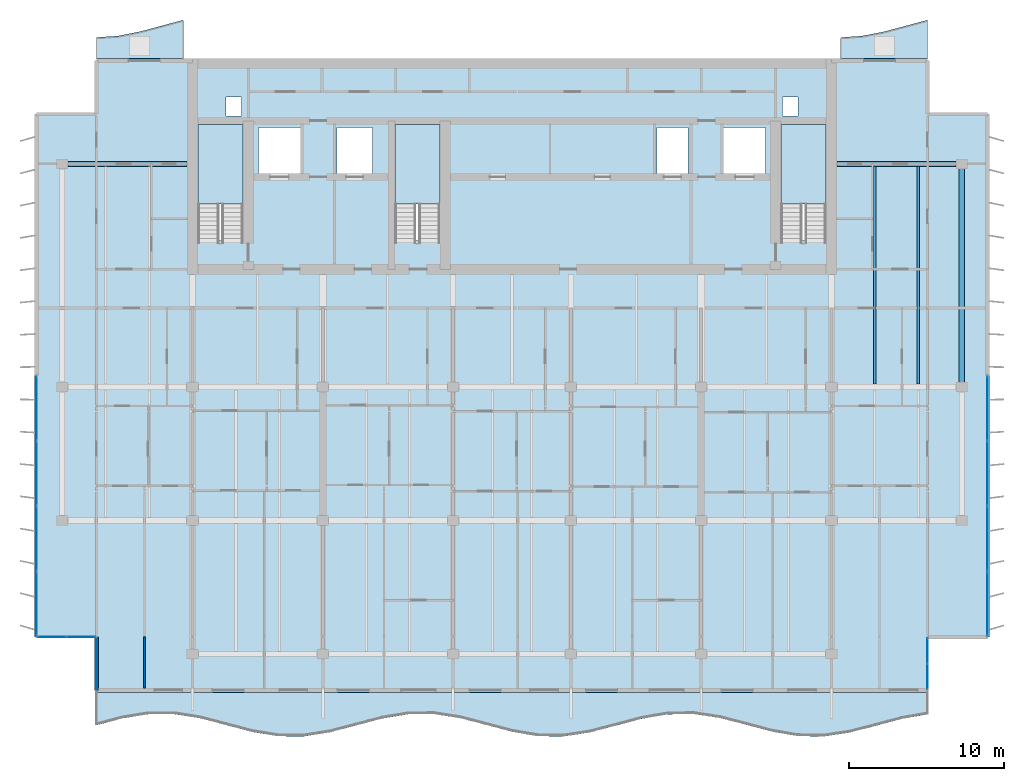
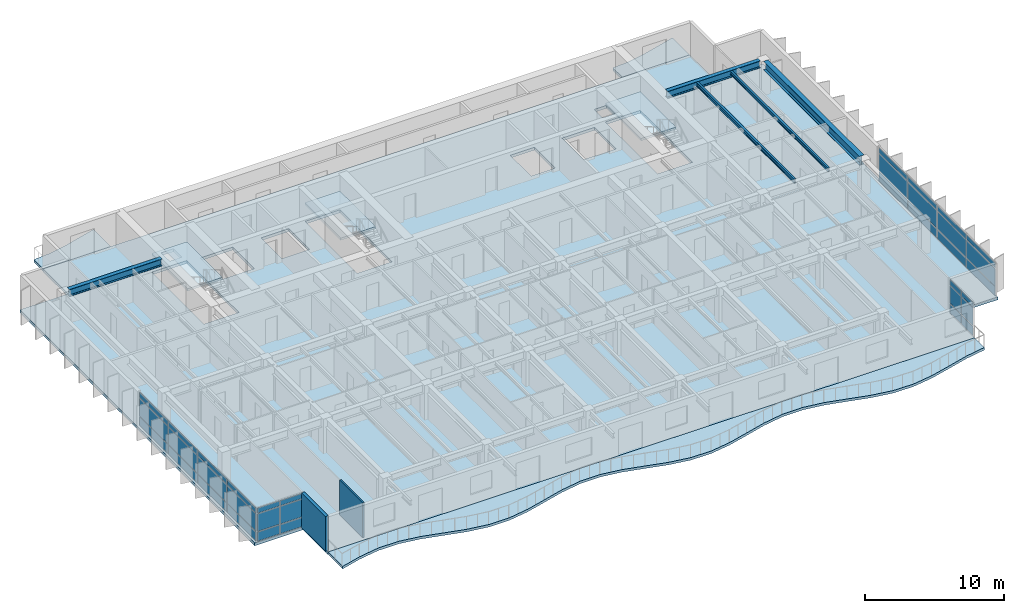
# One storey, part 5 of 17: 36 plates, 7 slabs, 5 beams, 2 walls, 7 elements without a shape of their own.
"""IFC4 building model written with IfcOpenShell, lengths in metres."""

from ifc_helpers import new_model, si_unit, direction, frame, frame_2d, origin, origin_2d, place, context, subcontext, project, spatial, polyline, rectangle, i_section, outline, extrude, material, layer, layer_set, material_profile, profile_set, type_object, element, aggregate, save


model = new_model("IFC4")

# Units and contexts
model_context = context("Model", 3, precision=1e-05, world=origin(), true_north=direction((0.0, 1.0)))
body_context = subcontext(model_context, "Body", "Model", "MODEL_VIEW")
ifc_project = project(units=[si_unit("LENGTHUNIT", "METRE"), si_unit("AREAUNIT", "SQUARE_METRE"), si_unit("VOLUMEUNIT", "CUBIC_METRE"), si_unit("PLANEANGLEUNIT", "RADIAN"), si_unit("MASSUNIT", "GRAM", prefix="KILO")], contexts=[model_context])

# Site, building, storey
site_placement = place(None, origin())
site = spatial("IfcSite", under=ifc_project, at=site_placement, CompositionType="ELEMENT")
building_placement = place(site_placement, origin())
building = spatial("IfcBuilding", under=site, at=building_placement, Name="Caelmar Bay Residences", CompositionType="ELEMENT")
storey_placement = place(building_placement, frame((0.0, 0.0, 229.800048828125)))
storey = spatial("IfcBuildingStorey", under=building, at=storey_placement, Name="L64", CompositionType="ELEMENT", Elevation=229.800048828125)

# Beams
ifc_material_1 = material(Name="Steel ASTM A992 Grade 50", Category="steel")
ifc_material_profile_1 = material_profile(ifc_material_1, i_section(OverallWidth=0.381103515625, OverallDepth=0.77197265625, WebThickness=0.0166015625, FlangeThickness=0.027099609375, FilletRadius=0.0166015625, at=origin_2d()), Name="W30X173")
ifc_profile_set_1 = profile_set([ifc_material_profile_1], Name="Steel ASTM A992 Grade 50")
beam_type_1 = type_object("IfcBeamType", Name="BM-GRD-W30X173", PredefinedType="BEAM", material=ifc_profile_set_1)
beam_1_placement = place(storey_placement, frame((67.89990234375, 29.715087890625, 2.6640625), z_axis=(0.0, 1.0, 0.0), x_axis=(-1.0, 0.0, 0.0)))
element("IfcBeam", 1, at=beam_1_placement, inside=storey, type_object=beam_type_1, Name="L64 North-South Girder X=67.90 (29.4-43.8)", PredefinedType="BEAM", context=body_context, shape_type="SweptSolid", body=[
    extrude(i_section(OverallWidth=0.381103515625, OverallDepth=0.77197265625, WebThickness=0.0166015625, FlangeThickness=0.027099609375, FilletRadius=0.0166015625, at=origin_2d()), origin(), (0.0, 0.0, 1.0), 13.77001953125),
])
ifc_material_profile_2 = material_profile(ifc_material_1, i_section(OverallWidth=0.1650390625, OverallDepth=0.31005859375, WebThickness=0.005859375, FlangeThickness=0.009765625, FilletRadius=0.007568359375, at=origin_2d()), Name="W12X26")
ifc_profile_set_2 = profile_set([ifc_material_profile_2], Name="Steel ASTM A992 Grade 50")
beam_type_2 = type_object("IfcBeamType", Name="BM-JST-W12X26", PredefinedType="JOIST", material=ifc_profile_set_2)
beam_2_placement = place(storey_placement, frame((65.10009765625, 29.590576171875, 2.89501953125), z_axis=(0.0, 1.0, 0.0), x_axis=(-1.0, 0.0, 0.0)))
element("IfcBeam", 2, at=beam_2_placement, inside=storey, type_object=beam_type_2, Name="L64 Composite Floor Joist 33", PredefinedType="JOIST", context=body_context, shape_type="SweptSolid", body=[
    extrude(i_section(OverallWidth=0.1650390625, OverallDepth=0.31005859375, WebThickness=0.005859375, FlangeThickness=0.009765625, FilletRadius=0.007568359375, at=origin_2d()), origin(), (0.0, 0.0, 1.0), 14.046875),
])
ifc_material_profile_3 = material_profile(ifc_material_1, i_section(OverallWidth=0.1708984375, OverallDepth=0.35595703125, WebThickness=0.007080078125, FlangeThickness=0.01171875, FilletRadius=0.007568359375, at=origin_2d()), Name="W14X34")
ifc_profile_set_3 = profile_set([ifc_material_profile_3], Name="Steel ASTM A992 Grade 50")
beam_type_3 = type_object("IfcBeamType", Name="BM-JST-W14X34", PredefinedType="JOIST", material=ifc_profile_set_3)
beam_3_placement = place(storey_placement, frame((62.300048828125, 29.590576171875, 2.8720703125), z_axis=(0.0, 1.0, 0.0), x_axis=(-1.0, 0.0, 0.0)))
element("IfcBeam", 3, at=beam_3_placement, inside=storey, type_object=beam_type_3, Name="L64 Composite Floor Joist 32", PredefinedType="JOIST", context=body_context, shape_type="SweptSolid", body=[
    extrude(i_section(OverallWidth=0.1708984375, OverallDepth=0.35595703125, WebThickness=0.007080078125, FlangeThickness=0.01171875, FilletRadius=0.007568359375, at=origin_2d()), origin(), (0.0, 0.0, 1.0), 14.046875),
])
ifc_material_profile_4 = material_profile(ifc_material_1, i_section(OverallWidth=0.324951171875, OverallDepth=0.616943359375, WebThickness=0.013916015625, FlangeThickness=0.021484375, FilletRadius=0.0126953125, at=origin_2d()), Name="W24X117")
ifc_profile_set_4 = profile_set([ifc_material_profile_4], Name="Steel ASTM A992 Grade 50")
beam_type_4 = type_object("IfcBeamType", Name="BM-SPN-W24X117", PredefinedType="SPANDREL", material=ifc_profile_set_4)
beam_4_placement = place(storey_placement, frame((10.264892578125, 43.800048828125, 2.741455078125), z_axis=(1.0, 0.0, 0.0), x_axis=(0.0, 1.0, 0.0)))
element("IfcBeam", 4, at=beam_4_placement, inside=storey, type_object=beam_type_4, Name="L64 North-West Wing Core Tie Girder", PredefinedType="SPANDREL", context=body_context, shape_type="SweptSolid", body=[
    extrude(i_section(OverallWidth=0.324951171875, OverallDepth=0.616943359375, WebThickness=0.013916015625, FlangeThickness=0.021484375, FilletRadius=0.0126953125, at=origin_2d()), origin(), (0.0, 0.0, 1.0), 7.68505859375),
])
beam_5_placement = place(storey_placement, frame((59.85009765625, 43.800048828125, 2.741455078125), z_axis=(1.0, 0.0, 0.0), x_axis=(0.0, 1.0, 0.0)))
element("IfcBeam", 5, at=beam_5_placement, inside=storey, type_object=beam_type_4, Name="L64 North-East Wing Core Tie Girder", PredefinedType="SPANDREL", context=body_context, shape_type="SweptSolid", body=[
    extrude(i_section(OverallWidth=0.324951171875, OverallDepth=0.616943359375, WebThickness=0.013916015625, FlangeThickness=0.021484375, FilletRadius=0.0126953125, at=origin_2d()), origin(), (0.0, 0.0, 1.0), 7.684814453125),
])

# Curtain wall, plates
ifc_material_2 = material(Name="Anodised bronze aluminium 6063-T6 and laminated glass", Category="aluminium")
ifc_layer_1 = layer(ifc_material_2, 0.179931640625)
ifc_layer_set_1 = layer_set([ifc_layer_1], Name="Anodised bronze aluminium 6063-T6 and laminated glass")
curtain_wall_type_1 = type_object("IfcCurtainWallType", Name="CW6-NTC", PredefinedType="NOTDEFINED", material=ifc_layer_set_1)
curtain_wall_1_placement = place(storey_placement, origin())
curtain_wall_1 = element("IfcCurtainWall", 6, at=curtain_wall_1_placement, inside=storey, type_object=curtain_wall_type_1, Name="CW6 curtain wall L64", PredefinedType="NOTDEFINED")
ifc_material_3 = material(Name="Bronze-tinted laminated low-E hurricane glass 28 mm", Category="glass")
ifc_layer_2 = layer(ifc_material_3, 0.028076171875)
ifc_layer_set_2 = layer_set([ifc_layer_2], Name="Bronze-tinted laminated low-E hurricane glass 28 mm")
plate_type_1 = type_object("IfcPlateType", Name="CWP-GLZ28", PredefinedType="CURTAIN_PANEL", material=ifc_layer_set_2)
plate_1_placement = place(storey_placement, frame((9.232421875, 13.300048828125, 0.080078125), z_axis=(0.0, 0.0, 1.0), x_axis=(1.0, 0.0, 0.0)))
plate_1 = element("IfcPlate", 7, at=plate_1_placement, type_object=plate_type_1, Name="CW6 panel 1.1", PredefinedType="CURTAIN_PANEL", context=body_context, shape_type="SweptSolid", body=[
    extrude(rectangle(XDim=1.804931640625, YDim=0.028076171875, at=origin_2d()), origin(), (0.0, 0.0, 1.0), 0.780029296875),
])
plate_2_placement = place(storey_placement, frame((9.232421875, 13.300048828125, 0.93994140625), z_axis=(0.0, 0.0, 1.0), x_axis=(1.0, 0.0, 0.0)))
plate_2 = element("IfcPlate", 8, at=plate_2_placement, type_object=plate_type_1, Name="CW6 panel 1.2", PredefinedType="CURTAIN_PANEL", context=body_context, shape_type="SweptSolid", body=[
    extrude(rectangle(XDim=1.804931640625, YDim=0.028076171875, at=origin_2d()), origin(), (0.0, 0.0, 1.0), 1.52001953125),
])
plate_3_placement = place(storey_placement, frame((9.232421875, 13.300048828125, 2.5400390625), z_axis=(0.0, 0.0, 1.0), x_axis=(1.0, 0.0, 0.0)))
plate_3 = element("IfcPlate", 9, at=plate_3_placement, type_object=plate_type_1, Name="CW6 panel 1.3", PredefinedType="CURTAIN_PANEL", context=body_context, shape_type="SweptSolid", body=[
    extrude(rectangle(XDim=1.804931640625, YDim=0.028076171875, at=origin_2d()), origin(), (0.0, 0.0, 1.0), 0.429931640625),
])
plate_4_placement = place(storey_placement, frame((11.117431640625, 13.300048828125, 0.080078125), z_axis=(0.0, 0.0, 1.0), x_axis=(1.0, 0.0, 0.0)))
plate_4 = element("IfcPlate", 10, at=plate_4_placement, type_object=plate_type_1, Name="CW6 panel 2.1", PredefinedType="CURTAIN_PANEL", context=body_context, shape_type="SweptSolid", body=[
    extrude(rectangle(XDim=1.804931640625, YDim=0.028076171875, at=origin_2d()), origin(), (0.0, 0.0, 1.0), 0.780029296875),
])
plate_5_placement = place(storey_placement, frame((11.117431640625, 13.300048828125, 0.93994140625), z_axis=(0.0, 0.0, 1.0), x_axis=(1.0, 0.0, 0.0)))
plate_5 = element("IfcPlate", 11, at=plate_5_placement, type_object=plate_type_1, Name="CW6 panel 2.2", PredefinedType="CURTAIN_PANEL", context=body_context, shape_type="SweptSolid", body=[
    extrude(rectangle(XDim=1.804931640625, YDim=0.028076171875, at=origin_2d()), origin(), (0.0, 0.0, 1.0), 1.52001953125),
])
plate_6_placement = place(storey_placement, frame((11.117431640625, 13.300048828125, 2.5400390625), z_axis=(0.0, 0.0, 1.0), x_axis=(1.0, 0.0, 0.0)))
plate_6 = element("IfcPlate", 12, at=plate_6_placement, type_object=plate_type_1, Name="CW6 panel 2.3", PredefinedType="CURTAIN_PANEL", context=body_context, shape_type="SweptSolid", body=[
    extrude(rectangle(XDim=1.804931640625, YDim=0.028076171875, at=origin_2d()), origin(), (0.0, 0.0, 1.0), 0.429931640625),
])
aggregate(curtain_wall_1, [plate_1, plate_2, plate_3, plate_4, plate_5, plate_6])

curtain_wall_2_placement = place(storey_placement, origin())
curtain_wall_2 = element("IfcCurtainWall", 13, at=curtain_wall_2_placement, inside=storey, type_object=curtain_wall_type_1, Name="CW6 curtain wall L64", PredefinedType="NOTDEFINED")
plate_7_placement = place(storey_placement, frame((65.699951171875, 10.732421875, 0.080078125), z_axis=(0.0, 0.0, 1.0), x_axis=(0.0, 1.0, 0.0)))
plate_7 = element("IfcPlate", 14, at=plate_7_placement, type_object=plate_type_1, Name="CW6 panel 1.1", PredefinedType="CURTAIN_PANEL", context=body_context, shape_type="SweptSolid", body=[
    extrude(rectangle(XDim=1.60498046875, YDim=0.028076171875, at=origin_2d()), origin(), (0.0, 0.0, 1.0), 0.780029296875),
])
plate_8_placement = place(storey_placement, frame((65.699951171875, 10.732421875, 0.93994140625), z_axis=(0.0, 0.0, 1.0), x_axis=(0.0, 1.0, 0.0)))
plate_8 = element("IfcPlate", 15, at=plate_8_placement, type_object=plate_type_1, Name="CW6 panel 1.2", PredefinedType="CURTAIN_PANEL", context=body_context, shape_type="SweptSolid", body=[
    extrude(rectangle(XDim=1.60498046875, YDim=0.028076171875, at=origin_2d()), origin(), (0.0, 0.0, 1.0), 1.52001953125),
])
plate_9_placement = place(storey_placement, frame((65.699951171875, 10.732421875, 2.5400390625), z_axis=(0.0, 0.0, 1.0), x_axis=(0.0, 1.0, 0.0)))
plate_9 = element("IfcPlate", 16, at=plate_9_placement, type_object=plate_type_1, Name="CW6 panel 1.3", PredefinedType="CURTAIN_PANEL", context=body_context, shape_type="SweptSolid", body=[
    extrude(rectangle(XDim=1.60498046875, YDim=0.028076171875, at=origin_2d()), origin(), (0.0, 0.0, 1.0), 0.429931640625),
])
plate_10_placement = place(storey_placement, frame((65.699951171875, 12.41748046875, 0.080078125), z_axis=(0.0, 0.0, 1.0), x_axis=(0.0, 1.0, 0.0)))
plate_10 = element("IfcPlate", 17, at=plate_10_placement, type_object=plate_type_1, Name="CW6 panel 2.1", PredefinedType="CURTAIN_PANEL", context=body_context, shape_type="SweptSolid", body=[
    extrude(rectangle(XDim=1.60498046875, YDim=0.028076171875, at=origin_2d()), origin(), (0.0, 0.0, 1.0), 0.780029296875),
])
plate_11_placement = place(storey_placement, frame((65.699951171875, 12.41748046875, 0.93994140625), z_axis=(0.0, 0.0, 1.0), x_axis=(0.0, 1.0, 0.0)))
plate_11 = element("IfcPlate", 18, at=plate_11_placement, type_object=plate_type_1, Name="CW6 panel 2.2", PredefinedType="CURTAIN_PANEL", context=body_context, shape_type="SweptSolid", body=[
    extrude(rectangle(XDim=1.60498046875, YDim=0.028076171875, at=origin_2d()), origin(), (0.0, 0.0, 1.0), 1.52001953125),
])
plate_12_placement = place(storey_placement, frame((65.699951171875, 12.41748046875, 2.5400390625), z_axis=(0.0, 0.0, 1.0), x_axis=(0.0, 1.0, 0.0)))
plate_12 = element("IfcPlate", 19, at=plate_12_placement, type_object=plate_type_1, Name="CW6 panel 2.3", PredefinedType="CURTAIN_PANEL", context=body_context, shape_type="SweptSolid", body=[
    extrude(rectangle(XDim=1.60498046875, YDim=0.028076171875, at=origin_2d()), origin(), (0.0, 0.0, 1.0), 0.429931640625),
])
aggregate(curtain_wall_2, [plate_7, plate_8, plate_9, plate_10, plate_11, plate_12])

ifc_layer_3 = layer(ifc_material_2, 0.179931640625)
ifc_layer_set_3 = layer_set([ifc_layer_3], Name="Anodised bronze aluminium 6063-T6 and laminated glass")
curtain_wall_type_2 = type_object("IfcCurtainWallType", Name="CW5-Z4", PredefinedType="NOTDEFINED", material=ifc_layer_set_3)
curtain_wall_3_placement = place(storey_placement, origin())
curtain_wall_3 = element("IfcCurtainWall", 20, at=curtain_wall_3_placement, inside=storey, type_object=curtain_wall_type_2, Name="CW5 curtain wall L64", PredefinedType="NOTDEFINED")
ifc_material_4 = material(Name="Bronze-tinted laminated low-E hurricane glass 32 mm", Category="glass")
ifc_layer_4 = layer(ifc_material_4, 0.031982421875)
ifc_layer_set_4 = layer_set([ifc_layer_4], Name="Bronze-tinted laminated low-E hurricane glass 32 mm")
plate_type_2 = type_object("IfcPlateType", Name="CWP-GLZ32", PredefinedType="CURTAIN_PANEL", material=ifc_layer_set_4)
plate_13_placement = place(storey_placement, frame((8.25, 15.42626953125, 0.080078125), z_axis=(0.0, 0.0, 1.0), x_axis=(0.0, 1.0, 0.0)))
plate_13 = element("IfcPlate", 21, at=plate_13_placement, type_object=plate_type_2, Name="CW5 panel 1.1", PredefinedType="CURTAIN_PANEL", context=body_context, shape_type="SweptSolid", body=[
    extrude(rectangle(XDim=4.092529296875, YDim=0.031982421875, at=origin_2d()), origin(), (0.0, 0.0, 1.0), 0.780029296875),
])
plate_14_placement = place(storey_placement, frame((8.25, 15.42626953125, 0.93994140625), z_axis=(0.0, 0.0, 1.0), x_axis=(0.0, 1.0, 0.0)))
plate_14 = element("IfcPlate", 22, at=plate_14_placement, type_object=plate_type_2, Name="CW5 panel 1.2", PredefinedType="CURTAIN_PANEL", context=body_context, shape_type="SweptSolid", body=[
    extrude(rectangle(XDim=4.092529296875, YDim=0.031982421875, at=origin_2d()), origin(), (0.0, 0.0, 1.0), 1.52001953125),
])
plate_15_placement = place(storey_placement, frame((8.25, 15.42626953125, 2.5400390625), z_axis=(0.0, 0.0, 1.0), x_axis=(0.0, 1.0, 0.0)))
plate_15 = element("IfcPlate", 23, at=plate_15_placement, type_object=plate_type_2, Name="CW5 panel 1.3", PredefinedType="CURTAIN_PANEL", context=body_context, shape_type="SweptSolid", body=[
    extrude(rectangle(XDim=4.092529296875, YDim=0.031982421875, at=origin_2d()), origin(), (0.0, 0.0, 1.0), 0.429931640625),
])
plate_16_placement = place(storey_placement, frame((8.25, 19.61865234375, 0.080078125), z_axis=(0.0, 0.0, 1.0), x_axis=(0.0, 1.0, 0.0)))
plate_16 = element("IfcPlate", 24, at=plate_16_placement, type_object=plate_type_2, Name="CW5 panel 2.1", PredefinedType="CURTAIN_PANEL", context=body_context, shape_type="SweptSolid", body=[
    extrude(rectangle(XDim=4.132568359375, YDim=0.031982421875, at=origin_2d()), origin(), (0.0, 0.0, 1.0), 0.780029296875),
])
plate_17_placement = place(storey_placement, frame((8.25, 19.61865234375, 0.93994140625), z_axis=(0.0, 0.0, 1.0), x_axis=(0.0, 1.0, 0.0)))
plate_17 = element("IfcPlate", 25, at=plate_17_placement, type_object=plate_type_2, Name="CW5 panel 2.2", PredefinedType="CURTAIN_PANEL", context=body_context, shape_type="SweptSolid", body=[
    extrude(rectangle(XDim=4.132568359375, YDim=0.031982421875, at=origin_2d()), origin(), (0.0, 0.0, 1.0), 1.52001953125),
])
plate_18_placement = place(storey_placement, frame((8.25, 19.61865234375, 2.5400390625), z_axis=(0.0, 0.0, 1.0), x_axis=(0.0, 1.0, 0.0)))
plate_18 = element("IfcPlate", 26, at=plate_18_placement, type_object=plate_type_2, Name="CW5 panel 2.3", PredefinedType="CURTAIN_PANEL", context=body_context, shape_type="SweptSolid", body=[
    extrude(rectangle(XDim=4.132568359375, YDim=0.031982421875, at=origin_2d()), origin(), (0.0, 0.0, 1.0), 0.429931640625),
])
plate_19_placement = place(storey_placement, frame((8.25, 23.831298828125, 0.080078125), z_axis=(0.0, 0.0, 1.0), x_axis=(0.0, 1.0, 0.0)))
plate_19 = element("IfcPlate", 27, at=plate_19_placement, type_object=plate_type_2, Name="CW5 panel 3.1", PredefinedType="CURTAIN_PANEL", context=body_context, shape_type="SweptSolid", body=[
    extrude(rectangle(XDim=4.132568359375, YDim=0.031982421875, at=origin_2d()), origin(), (0.0, 0.0, 1.0), 0.780029296875),
])
plate_20_placement = place(storey_placement, frame((8.25, 23.831298828125, 0.93994140625), z_axis=(0.0, 0.0, 1.0), x_axis=(0.0, 1.0, 0.0)))
plate_20 = element("IfcPlate", 28, at=plate_20_placement, type_object=plate_type_2, Name="CW5 panel 3.2", PredefinedType="CURTAIN_PANEL", context=body_context, shape_type="SweptSolid", body=[
    extrude(rectangle(XDim=4.132568359375, YDim=0.031982421875, at=origin_2d()), origin(), (0.0, 0.0, 1.0), 1.52001953125),
])
plate_21_placement = place(storey_placement, frame((8.25, 23.831298828125, 2.5400390625), z_axis=(0.0, 0.0, 1.0), x_axis=(0.0, 1.0, 0.0)))
plate_21 = element("IfcPlate", 29, at=plate_21_placement, type_object=plate_type_2, Name="CW5 panel 3.3", PredefinedType="CURTAIN_PANEL", context=body_context, shape_type="SweptSolid", body=[
    extrude(rectangle(XDim=4.132568359375, YDim=0.031982421875, at=origin_2d()), origin(), (0.0, 0.0, 1.0), 0.429931640625),
])
plate_22_placement = place(storey_placement, frame((8.25, 28.023681640625, 0.080078125), z_axis=(0.0, 0.0, 1.0), x_axis=(0.0, 1.0, 0.0)))
plate_22 = element("IfcPlate", 30, at=plate_22_placement, type_object=plate_type_2, Name="CW5 panel 4.1", PredefinedType="CURTAIN_PANEL", context=body_context, shape_type="SweptSolid", body=[
    extrude(rectangle(XDim=4.092529296875, YDim=0.031982421875, at=origin_2d()), origin(), (0.0, 0.0, 1.0), 0.780029296875),
])
plate_23_placement = place(storey_placement, frame((8.25, 28.023681640625, 0.93994140625), z_axis=(0.0, 0.0, 1.0), x_axis=(0.0, 1.0, 0.0)))
plate_23 = element("IfcPlate", 31, at=plate_23_placement, type_object=plate_type_2, Name="CW5 panel 4.2", PredefinedType="CURTAIN_PANEL", context=body_context, shape_type="SweptSolid", body=[
    extrude(rectangle(XDim=4.092529296875, YDim=0.031982421875, at=origin_2d()), origin(), (0.0, 0.0, 1.0), 1.52001953125),
])
plate_24_placement = place(storey_placement, frame((8.25, 28.023681640625, 2.5400390625), z_axis=(0.0, 0.0, 1.0), x_axis=(0.0, 1.0, 0.0)))
plate_24 = element("IfcPlate", 32, at=plate_24_placement, type_object=plate_type_2, Name="CW5 panel 4.3", PredefinedType="CURTAIN_PANEL", context=body_context, shape_type="SweptSolid", body=[
    extrude(rectangle(XDim=4.092529296875, YDim=0.031982421875, at=origin_2d()), origin(), (0.0, 0.0, 1.0), 0.429931640625),
])
aggregate(curtain_wall_3, [plate_13, plate_14, plate_15, plate_16, plate_17, plate_18, plate_19, plate_20, plate_21, plate_22, plate_23, plate_24])

curtain_wall_4_placement = place(storey_placement, origin())
curtain_wall_4 = element("IfcCurtainWall", 33, at=curtain_wall_4_placement, inside=storey, type_object=curtain_wall_type_2, Name="CW5 curtain wall L64", PredefinedType="NOTDEFINED")
plate_25_placement = place(storey_placement, frame((69.550048828125, 28.023681640625, 0.080078125), z_axis=(0.0, 0.0, 1.0), x_axis=(0.0, -1.0, 0.0)))
plate_25 = element("IfcPlate", 34, at=plate_25_placement, type_object=plate_type_2, Name="CW5 panel 1.1", PredefinedType="CURTAIN_PANEL", context=body_context, shape_type="SweptSolid", body=[
    extrude(rectangle(XDim=4.092529296875, YDim=0.031982421875, at=origin_2d()), origin(), (0.0, 0.0, 1.0), 0.780029296875),
])
plate_26_placement = place(storey_placement, frame((69.550048828125, 28.023681640625, 0.93994140625), z_axis=(0.0, 0.0, 1.0), x_axis=(0.0, -1.0, 0.0)))
plate_26 = element("IfcPlate", 35, at=plate_26_placement, type_object=plate_type_2, Name="CW5 panel 1.2", PredefinedType="CURTAIN_PANEL", context=body_context, shape_type="SweptSolid", body=[
    extrude(rectangle(XDim=4.092529296875, YDim=0.031982421875, at=origin_2d()), origin(), (0.0, 0.0, 1.0), 1.52001953125),
])
plate_27_placement = place(storey_placement, frame((69.550048828125, 28.023681640625, 2.5400390625), z_axis=(0.0, 0.0, 1.0), x_axis=(0.0, -1.0, 0.0)))
plate_27 = element("IfcPlate", 36, at=plate_27_placement, type_object=plate_type_2, Name="CW5 panel 1.3", PredefinedType="CURTAIN_PANEL", context=body_context, shape_type="SweptSolid", body=[
    extrude(rectangle(XDim=4.092529296875, YDim=0.031982421875, at=origin_2d()), origin(), (0.0, 0.0, 1.0), 0.429931640625),
])
plate_28_placement = place(storey_placement, frame((69.550048828125, 23.831298828125, 0.080078125), z_axis=(0.0, 0.0, 1.0), x_axis=(0.0, -1.0, 0.0)))
plate_28 = element("IfcPlate", 37, at=plate_28_placement, type_object=plate_type_2, Name="CW5 panel 2.1", PredefinedType="CURTAIN_PANEL", context=body_context, shape_type="SweptSolid", body=[
    extrude(rectangle(XDim=4.132568359375, YDim=0.031982421875, at=origin_2d()), origin(), (0.0, 0.0, 1.0), 0.780029296875),
])
plate_29_placement = place(storey_placement, frame((69.550048828125, 23.831298828125, 0.93994140625), z_axis=(0.0, 0.0, 1.0), x_axis=(0.0, -1.0, 0.0)))
plate_29 = element("IfcPlate", 38, at=plate_29_placement, type_object=plate_type_2, Name="CW5 panel 2.2", PredefinedType="CURTAIN_PANEL", context=body_context, shape_type="SweptSolid", body=[
    extrude(rectangle(XDim=4.132568359375, YDim=0.031982421875, at=origin_2d()), origin(), (0.0, 0.0, 1.0), 1.52001953125),
])
plate_30_placement = place(storey_placement, frame((69.550048828125, 23.831298828125, 2.5400390625), z_axis=(0.0, 0.0, 1.0), x_axis=(0.0, -1.0, 0.0)))
plate_30 = element("IfcPlate", 39, at=plate_30_placement, type_object=plate_type_2, Name="CW5 panel 2.3", PredefinedType="CURTAIN_PANEL", context=body_context, shape_type="SweptSolid", body=[
    extrude(rectangle(XDim=4.132568359375, YDim=0.031982421875, at=origin_2d()), origin(), (0.0, 0.0, 1.0), 0.429931640625),
])
plate_31_placement = place(storey_placement, frame((69.550048828125, 19.61865234375, 0.080078125), z_axis=(0.0, 0.0, 1.0), x_axis=(0.0, -1.0, 0.0)))
plate_31 = element("IfcPlate", 40, at=plate_31_placement, type_object=plate_type_2, Name="CW5 panel 3.1", PredefinedType="CURTAIN_PANEL", context=body_context, shape_type="SweptSolid", body=[
    extrude(rectangle(XDim=4.132568359375, YDim=0.031982421875, at=origin_2d()), origin(), (0.0, 0.0, 1.0), 0.780029296875),
])
plate_32_placement = place(storey_placement, frame((69.550048828125, 19.61865234375, 0.93994140625), z_axis=(0.0, 0.0, 1.0), x_axis=(0.0, -1.0, 0.0)))
plate_32 = element("IfcPlate", 41, at=plate_32_placement, type_object=plate_type_2, Name="CW5 panel 3.2", PredefinedType="CURTAIN_PANEL", context=body_context, shape_type="SweptSolid", body=[
    extrude(rectangle(XDim=4.132568359375, YDim=0.031982421875, at=origin_2d()), origin(), (0.0, 0.0, 1.0), 1.52001953125),
])
plate_33_placement = place(storey_placement, frame((69.550048828125, 19.61865234375, 2.5400390625), z_axis=(0.0, 0.0, 1.0), x_axis=(0.0, -1.0, 0.0)))
plate_33 = element("IfcPlate", 42, at=plate_33_placement, type_object=plate_type_2, Name="CW5 panel 3.3", PredefinedType="CURTAIN_PANEL", context=body_context, shape_type="SweptSolid", body=[
    extrude(rectangle(XDim=4.132568359375, YDim=0.031982421875, at=origin_2d()), origin(), (0.0, 0.0, 1.0), 0.429931640625),
])
plate_34_placement = place(storey_placement, frame((69.550048828125, 15.42626953125, 0.080078125), z_axis=(0.0, 0.0, 1.0), x_axis=(0.0, -1.0, 0.0)))
plate_34 = element("IfcPlate", 43, at=plate_34_placement, type_object=plate_type_2, Name="CW5 panel 4.1", PredefinedType="CURTAIN_PANEL", context=body_context, shape_type="SweptSolid", body=[
    extrude(rectangle(XDim=4.092529296875, YDim=0.031982421875, at=origin_2d()), origin(), (0.0, 0.0, 1.0), 0.780029296875),
])
plate_35_placement = place(storey_placement, frame((69.550048828125, 15.42626953125, 0.93994140625), z_axis=(0.0, 0.0, 1.0), x_axis=(0.0, -1.0, 0.0)))
plate_35 = element("IfcPlate", 44, at=plate_35_placement, type_object=plate_type_2, Name="CW5 panel 4.2", PredefinedType="CURTAIN_PANEL", context=body_context, shape_type="SweptSolid", body=[
    extrude(rectangle(XDim=4.092529296875, YDim=0.031982421875, at=origin_2d()), origin(), (0.0, 0.0, 1.0), 1.52001953125),
])
plate_36_placement = place(storey_placement, frame((69.550048828125, 15.42626953125, 2.5400390625), z_axis=(0.0, 0.0, 1.0), x_axis=(0.0, -1.0, 0.0)))
plate_36 = element("IfcPlate", 45, at=plate_36_placement, type_object=plate_type_2, Name="CW5 panel 4.3", PredefinedType="CURTAIN_PANEL", context=body_context, shape_type="SweptSolid", body=[
    extrude(rectangle(XDim=4.092529296875, YDim=0.031982421875, at=origin_2d()), origin(), (0.0, 0.0, 1.0), 0.429931640625),
])
aggregate(curtain_wall_4, [plate_25, plate_26, plate_27, plate_28, plate_29, plate_30, plate_31, plate_32, plate_33, plate_34, plate_35, plate_36])

# Slabs
ifc_material_5 = material(Name="Concrete f'c 40 MPa (6,000 psi)", Category="concrete")
ifc_layer_5 = layer(ifc_material_5, 0.219970703125)
ifc_layer_set_5 = layer_set([ifc_layer_5], Name="Concrete f'c 40 MPa (6,000 psi)")
slab_type_1 = type_object("IfcSlabType", Name="SLB-BAL-220", PredefinedType="FLOOR", material=ifc_layer_set_5)
slab_1_placement = place(storey_placement, frame((0.0, 0.0, -0.219970703125)))
element("IfcSlab", 46, at=slab_1_placement, inside=storey, type_object=slab_type_1, Name="L64 Sinusoidal Tree-Balcony Slab south", PredefinedType="FLOOR", context=body_context, shape_type="SweptSolid", body=[
    extrude(outline(polyline([(12.10009765625, 7.60009765625), (13.77490234375, 8.039794921875), (15.449951171875, 8.3125), (17.125, 8.314697265625), (18.800048828125, 8.04541015625), (20.47509765625, 7.60693359375), (22.14990234375, 7.166015625), (23.824951171875, 6.889892578125), (25.5, 6.88330078125), (27.175048828125, 7.14892578125), (28.85009765625, 7.5859375), (30.52490234375, 8.0283203125), (32.199951171875, 8.307861328125), (33.875, 8.318603515625), (35.550048828125, 8.056640625), (37.22509765625, 7.62109375), (38.89990234375, 7.177490234375), (40.574951171875, 6.894287109375), (42.25, 6.87939453125), (43.925048828125, 7.137939453125), (45.60009765625, 7.572021484375), (47.27490234375, 8.0166015625), (48.949951171875, 8.30322265625), (50.625, 8.322509765625), (52.300048828125, 8.067626953125), (53.97509765625, 7.635009765625), (55.64990234375, 7.189208984375), (57.324951171875, 6.8994140625), (59.0, 6.87548828125), (60.675048828125, 7.126953125), (62.35009765625, 7.557861328125), (64.02490234375, 8.0048828125), (65.699951171875, 8.298095703125), (65.699951171875, 9.699951171875), (12.10009765625, 9.699951171875), (12.10009765625, 7.60009765625)])), origin(), (0.0, 0.0, 1.0), 0.219970703125),
])
slab_2_placement = place(storey_placement, frame((0.0, 0.0, -0.219970703125)))
element("IfcSlab", 47, at=slab_2_placement, inside=storey, type_object=slab_type_1, Name="L64 Sinusoidal Tree-Balcony Slab north_west", PredefinedType="FLOOR", context=body_context, shape_type="SweptSolid", body=[
    extrude(outline(polyline([(12.10009765625, 50.60009765625), (17.699951171875, 50.60009765625), (17.699951171875, 53.074951171875), (16.300048828125, 52.699951171875), (14.89990234375, 52.324951171875), (13.5, 52.050537109375), (12.10009765625, 51.949951171875), (12.10009765625, 50.60009765625)])), origin(), (0.0, 0.0, 1.0), 0.219970703125),
])
slab_3_placement = place(storey_placement, frame((0.0, 0.0, -0.219970703125)))
element("IfcSlab", 48, at=slab_3_placement, inside=storey, type_object=slab_type_1, Name="L64 Sinusoidal Tree-Balcony Slab north_east", PredefinedType="FLOOR", context=body_context, shape_type="SweptSolid", body=[
    extrude(outline(polyline([(60.10009765625, 50.60009765625), (65.699951171875, 50.60009765625), (65.699951171875, 53.074951171875), (64.300048828125, 52.699951171875), (62.89990234375, 52.324951171875), (61.5, 52.050537109375), (60.10009765625, 51.949951171875), (60.10009765625, 50.60009765625)])), origin(), (0.0, 0.0, 1.0), 0.219970703125),
])

# Stair, slab
stair_type = type_object("IfcStairType", Name="ST-TYP-165", PredefinedType="HALF_TURN_STAIR", material=ifc_material_5)
stair_1_placement = place(storey_placement, origin())
stair_1 = element("IfcStair", 49, at=stair_1_placement, inside=storey, type_object=stair_type, Name="L64 West Smokeproof Exit Stair ST1", PredefinedType="HALF_TURN_STAIR")
ifc_layer_6 = layer(ifc_material_5, 0.199951171875)
ifc_layer_set_6 = layer_set([ifc_layer_6], Name="Concrete f'c 40 MPa (6,000 psi)")
slab_type_2 = type_object("IfcSlabType", Name="SLB-LND-200", PredefinedType="LANDING", material=ifc_layer_set_6)
slab_4_placement = place(storey_placement, frame((0.0, 0.0, 1.449951171875)))
slab_4 = element("IfcSlab", 50, at=slab_4_placement, type_object=slab_type_2, Name="ST1 landing 1", PredefinedType="LANDING", context=body_context, shape_type="SweptSolid", body=[
    extrude(outline(polyline([(21.550048828125, 41.219970703125), (21.550048828125, 46.35009765625), (18.64990234375, 46.35009765625), (18.64990234375, 41.219970703125), (21.550048828125, 41.219970703125)])), origin(), (0.0, 0.0, 1.0), 0.199951171875),
])
aggregate(stair_1, [slab_4])

stair_2_placement = place(storey_placement, origin())
stair_2 = element("IfcStair", 51, at=stair_2_placement, inside=storey, type_object=stair_type, Name="L64 East Smokeproof Exit Stair ST2", PredefinedType="HALF_TURN_STAIR")
slab_5_placement = place(storey_placement, frame((0.0, 0.0, 1.449951171875)))
slab_5 = element("IfcSlab", 52, at=slab_5_placement, type_object=slab_type_2, Name="ST2 landing 1", PredefinedType="LANDING", context=body_context, shape_type="SweptSolid", body=[
    extrude(outline(polyline([(59.14990234375, 41.219970703125), (59.14990234375, 46.35009765625), (56.25, 46.35009765625), (56.25, 41.219970703125), (59.14990234375, 41.219970703125)])), origin(), (0.0, 0.0, 1.0), 0.199951171875),
])
aggregate(stair_2, [slab_5])

stair_3_placement = place(storey_placement, origin())
stair_3 = element("IfcStair", 53, at=stair_3_placement, inside=storey, type_object=stair_type, Name="L64 Central Smokeproof Exit Stair ST3", PredefinedType="HALF_TURN_STAIR")
slab_6_placement = place(storey_placement, frame((0.0, 0.0, 1.449951171875)))
slab_6 = element("IfcSlab", 54, at=slab_6_placement, type_object=slab_type_2, Name="ST3 landing 1", PredefinedType="LANDING", context=body_context, shape_type="SweptSolid", body=[
    extrude(outline(polyline([(34.25, 41.219970703125), (34.25, 46.35009765625), (31.35009765625, 46.35009765625), (31.35009765625, 41.219970703125), (34.25, 41.219970703125)])), origin(), (0.0, 0.0, 1.0), 0.199951171875),
])
aggregate(stair_3, [slab_6])

# Slab
ifc_layer_7 = layer(ifc_material_5, 0.25)
ifc_layer_set_7 = layer_set([ifc_layer_7], Name="Concrete f'c 40 MPa (6,000 psi)")
slab_type_3 = type_object("IfcSlabType", Name="SLB-RES-250", PredefinedType="FLOOR", material=ifc_layer_set_7)
slab_7_placement = place(storey_placement, frame((0.0, 0.0, -0.25)))
element("IfcSlab", 55, at=slab_7_placement, inside=storey, type_object=slab_type_3, Name="L64 Structural Floor Slab", PredefinedType="FLOOR", context=body_context, shape_type="SweptSolid", body=[
    extrude(outline(polyline([(12.10009765625, 9.699951171875), (65.699951171875, 9.699951171875), (65.699951171875, 13.300048828125), (69.699951171875, 13.300048828125), (69.699951171875, 47.0), (65.699951171875, 47.0), (65.699951171875, 50.60009765625), (12.10009765625, 50.60009765625), (12.10009765625, 47.0), (8.10009765625, 47.0), (8.10009765625, 13.300048828125), (12.10009765625, 13.300048828125), (12.10009765625, 9.699951171875)]), holes=[polyline([(18.64990234375, 38.85009765625), (21.550048828125, 38.85009765625), (21.550048828125, 46.35009765625), (18.64990234375, 46.35009765625), (18.64990234375, 38.85009765625)]), polyline([(56.25, 38.85009765625), (59.14990234375, 38.85009765625), (59.14990234375, 46.35009765625), (56.25, 46.35009765625), (56.25, 38.85009765625)]), polyline([(31.35009765625, 38.85009765625), (34.25, 38.85009765625), (34.25, 46.35009765625), (31.35009765625, 46.35009765625), (31.35009765625, 38.85009765625)]), polyline([(22.550048828125, 43.050048828125), (25.25, 43.050048828125), (25.25, 46.14990234375), (22.550048828125, 46.14990234375), (22.550048828125, 43.050048828125)]), polyline([(52.550048828125, 43.050048828125), (55.25, 43.050048828125), (55.25, 46.14990234375), (52.550048828125, 46.14990234375), (52.550048828125, 43.050048828125)]), polyline([(48.25, 43.14990234375), (50.25, 43.14990234375), (50.25, 46.14990234375), (48.25, 46.14990234375), (48.25, 43.14990234375)]), polyline([(27.60009765625, 43.14990234375), (29.89990234375, 43.14990234375), (29.89990234375, 46.14990234375), (27.60009765625, 46.14990234375), (27.60009765625, 43.14990234375)]), polyline([(20.449951171875, 46.89990234375), (21.449951171875, 46.89990234375), (21.449951171875, 48.10009765625), (20.449951171875, 48.10009765625), (20.449951171875, 46.89990234375)]), polyline([(56.35009765625, 46.89990234375), (57.35009765625, 46.89990234375), (57.35009765625, 48.10009765625), (56.35009765625, 48.10009765625), (56.35009765625, 46.89990234375)])]), origin(), (0.0, 0.0, 1.0), 0.25),
])

# Walls
ifc_material_6 = material(Name="Precast concrete f'c 40 MPa (6,000 psi)", Category="concrete")
ifc_layer_8 = layer(ifc_material_6, 0.25)
ifc_layer_set_8 = layer_set([ifc_layer_8], Name="Precast concrete f'c 40 MPa (6,000 psi)")
wall_type_1 = type_object("IfcWallType", Name="W-EXT-250", PredefinedType="ELEMENTEDWALL", material=ifc_layer_set_8)
wall_1_placement = place(storey_placement, frame((12.10009765625, 13.300048828125, 0.0), z_axis=(0.0, 0.0, 1.0), x_axis=(0.0, -1.0, 0.0)))
element("IfcWall", 56, at=wall_1_placement, inside=storey, type_object=wall_type_1, Name="L64 SW Notch Return Wall", PredefinedType="ELEMENTEDWALL", context=body_context, shape_type="SweptSolid", body=[
    extrude(rectangle(XDim=3.449951171875, YDim=0.25, at=frame_2d((1.72509765625, 0.0))), origin(), (0.0, 0.0, 1.0), 3.050048828125),
])
ifc_material_7 = material(Name="Acoustic metal-stud gypsum partition 120 mm")
ifc_layer_9 = layer(ifc_material_7, 0.1201171875)
ifc_layer_set_9 = layer_set([ifc_layer_9], Name="Acoustic metal-stud gypsum partition 120 mm")
wall_type_2 = type_object("IfcWallType", Name="W-PRT-120", PredefinedType="PARTITIONING", material=ifc_layer_set_9)
wall_2_placement = place(storey_placement, frame((15.199951171875, 9.9951171875, 0.0), z_axis=(0.0, 0.0, 1.0), x_axis=(0.0, 1.0, 0.0)))
element("IfcWall", 57, at=wall_2_placement, inside=storey, type_object=wall_type_2, Name="L64 Partition Wall V008", PredefinedType="PARTITIONING", context=body_context, shape_type="SweptSolid", body=[
    extrude(rectangle(XDim=3.304931640625, YDim=0.1201171875, at=frame_2d((1.65234375, 0.0))), origin(), (0.0, 0.0, 1.0), 3.050048828125),
])

save(model, "model.ifc")
